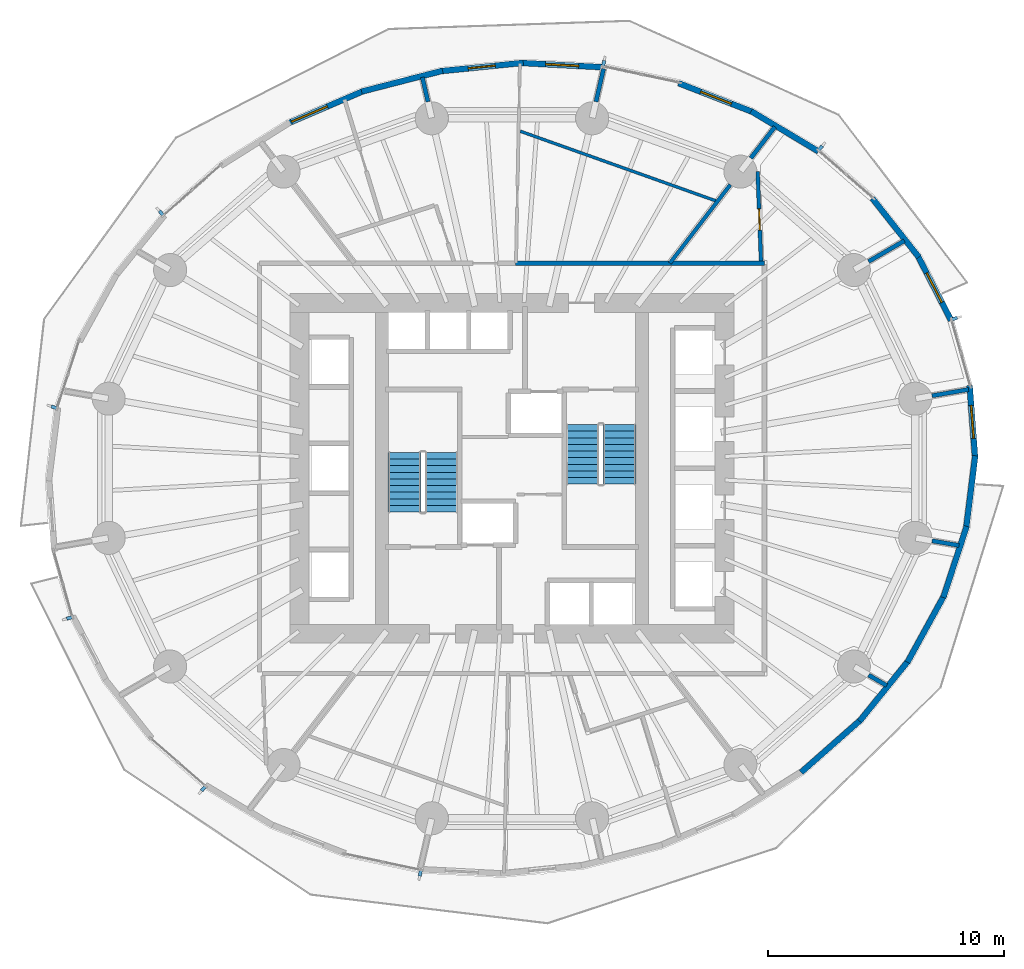
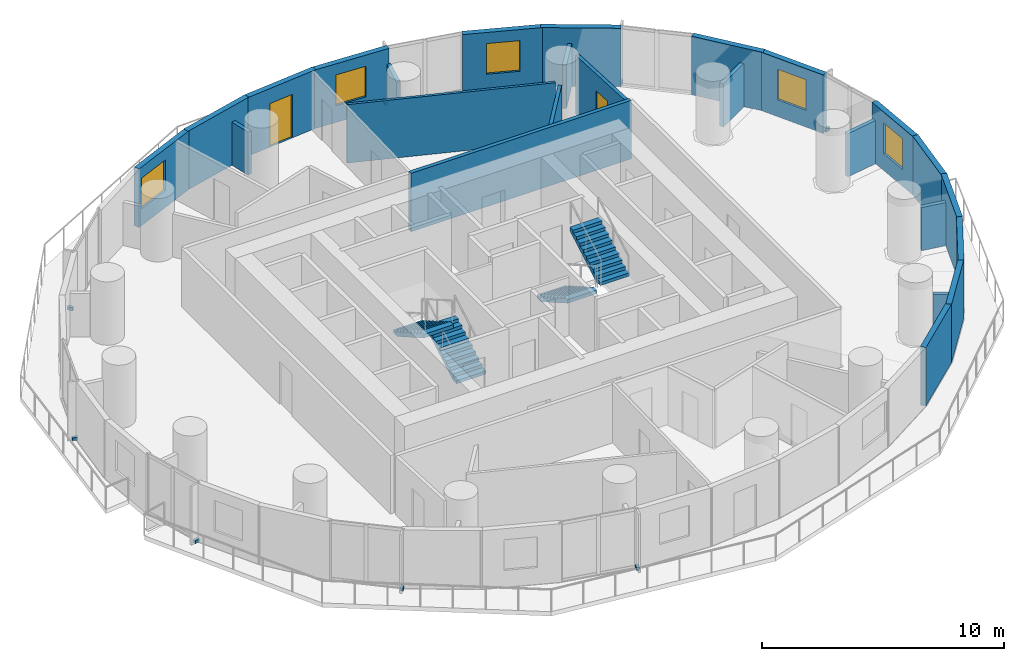
# One storey, part 9 of 13: 25 walls, 8 discrete accessories, 5 windows, 4 stair flights, 2 doors, 7 openings, 2 elements without a shape of their own.
"""IFC4 building model written with IfcOpenShell, lengths in metres."""

from ifc_helpers import new_model, si_unit, direction, frame, frame_2d, origin, origin_2d, place, context, subcontext, project, spatial, polyline, rectangle, outline, extrude, material, layer, layer_set, type_object, element, fill, aggregate, save


model = new_model("IFC4")

# Units and contexts
model_context = context("Model", 3, precision=1e-05, world=origin(), true_north=direction((0.0, 1.0)))
body_context = subcontext(model_context, "Body", "Model", "MODEL_VIEW")
ifc_project = project(units=[si_unit("LENGTHUNIT", "METRE"), si_unit("AREAUNIT", "SQUARE_METRE"), si_unit("VOLUMEUNIT", "CUBIC_METRE"), si_unit("PLANEANGLEUNIT", "RADIAN"), si_unit("MASSUNIT", "GRAM", prefix="KILO")], contexts=[model_context])

# Site, building, storey
site_placement = place(None, origin())
site = spatial("IfcSite", under=ifc_project, at=site_placement, CompositionType="ELEMENT")
building_placement = place(site_placement, origin())
building = spatial("IfcBuilding", under=site, at=building_placement, Name="Veldorim Arch Residences", CompositionType="ELEMENT")
storey_placement = place(building_placement, frame((0.0, 0.0, 47.199951171875)))
storey = spatial("IfcBuildingStorey", under=building, at=storey_placement, Name="L13", CompositionType="ELEMENT", Elevation=47.199951171875)

# Walls
ifc_material_1 = material(Name="Acoustic Gypsum Board", Category="gypsum")
ifc_layer_1 = layer(ifc_material_1, 0.125, Name="Acoustic Stud Room Partition Wall 125")
ifc_layer_set_1 = layer_set([ifc_layer_1], Name="Acoustic Gypsum Board")
wall_type_1 = type_object("IfcWallType", Name="Acoustic Stud Room Partition Wall 125", PredefinedType="PARTITIONING", material=ifc_layer_set_1)
wall_1_placement = place(storey_placement, frame((40.6201171875, 35.3203125, 0.0), z_axis=(0.0, 0.0, 1.0), x_axis=(-0.9420945855, 0.335347270709, 0.0)))
element("IfcWall", 1, at=wall_1_placement, inside=storey, type_object=wall_type_1, Name="L13 interior wall WL-RES-L13-021", PredefinedType="PARTITIONING", context=body_context, shape_type="SweptSolid", body=[
    extrude(rectangle(XDim=8.7734375, YDim=0.125, at=frame_2d((4.38671875, 0.0))), origin(), (0.0, 0.0, 1.0), 2.955078125),
])
ifc_material_2 = material(Name="Lightweight Masonry Block & Gypsum", Category="masonry")
ifc_layer_2 = layer(ifc_material_2, 0.179931640625, Name="Compartment & Corridor Fire-Rated Party Wall 180")
ifc_layer_set_2 = layer_set([ifc_layer_2], Name="Lightweight Masonry Block & Gypsum")
wall_type_2 = type_object("IfcWallType", Name="Compartment & Corridor Fire-Rated Party Wall 180", PredefinedType="PARTITIONING", material=ifc_layer_set_2)
wall_2_placement = place(storey_placement, frame((49.775146484375, 27.068359375, 0.0), z_axis=(0.0, 0.0, 1.0), x_axis=(0.985424214748, 0.170115011059, 0.0)))
element("IfcWall", 2, at=wall_2_placement, inside=storey, type_object=wall_type_2, Name="L13 interior wall WL-PIER-L13-01", PredefinedType="PARTITIONING", context=body_context, shape_type="SweptSolid", body=[
    extrude(rectangle(XDim=1.571533203125, YDim=0.179931640625, at=frame_2d((0.78564453125, 0.0))), origin(), (0.0, 0.0, 1.0), 2.17822265625),
])
wall_3_placement = place(storey_placement, frame((47.090576171875, 32.750244140625, 0.0), z_axis=(0.0, 0.0, 1.0), x_axis=(0.865027552002, 0.501724360857, 0.0)))
element("IfcWall", 3, at=wall_3_placement, inside=storey, type_object=wall_type_2, Name="L13 interior wall WL-PIER-L13-02", PredefinedType="PARTITIONING", context=body_context, shape_type="SweptSolid", body=[
    extrude(rectangle(XDim=1.747802734375, YDim=0.179931640625, at=frame_2d((0.8740234375, 0.0))), origin(), (0.0, 0.0, 1.0), 2.17822265625),
])
wall_4_placement = place(storey_placement, frame((42.106201171875, 37.125732421875, 0.0), z_axis=(0.0, 0.0, 1.0), x_axis=(0.610021184497, 0.792385104898, 0.0)))
element("IfcWall", 4, at=wall_4_placement, inside=storey, type_object=wall_type_2, Name="L13 interior wall WL-PIER-L13-03", PredefinedType="PARTITIONING", context=body_context, shape_type="SweptSolid", body=[
    extrude(rectangle(XDim=1.672119140625, YDim=0.179931640625, at=frame_2d((0.8359375, 0.0))), origin(), (0.0, 0.0, 1.0), 2.17822265625),
])
wall_5_placement = place(storey_placement, frame((35.555419921875, 39.51171875, 0.0), z_axis=(0.0, 0.0, 1.0), x_axis=(0.223463944202, 0.974712196313, 0.0)))
element("IfcWall", 5, at=wall_5_placement, inside=storey, type_object=wall_type_2, Name="L13 interior wall WL-PIER-L13-04", PredefinedType="PARTITIONING", context=body_context, shape_type="SweptSolid", body=[
    extrude(rectangle(XDim=1.43115234375, YDim=0.179931640625, at=frame_2d((0.715576171875, 0.0))), origin(), (0.0, 0.0, 1.0), 2.17822265625),
])
wall_6_placement = place(storey_placement, frame((28.444580078125, 39.51171875, 0.0), z_axis=(0.0, 0.0, 1.0), x_axis=(-0.223348866575, 0.974738572028, 0.0)))
element("IfcWall", 6, at=wall_6_placement, inside=storey, type_object=wall_type_2, Name="L13 interior wall WL-PIER-L13-05", PredefinedType="PARTITIONING", context=body_context, shape_type="SweptSolid", body=[
    extrude(rectangle(XDim=1.0625, YDim=0.179931640625, at=frame_2d((0.53125, 0.0))), origin(), (0.0, 0.0, 1.0), 2.17822265625),
])
wall_7_placement = place(storey_placement, frame((47.090576171875, 15.249755859375, 0.0), z_axis=(0.0, 0.0, 1.0), x_axis=(0.86495471492, -0.501849918937, 0.0)))
element("IfcWall", 7, at=wall_7_placement, inside=storey, type_object=wall_type_2, Name="L13 interior wall WL-PIER-L13-15", PredefinedType="PARTITIONING", context=body_context, shape_type="SweptSolid", body=[
    extrude(rectangle(XDim=0.886962890625, YDim=0.179931640625, at=frame_2d((0.443359375, 0.0))), origin(), (0.0, 0.0, 1.0), 2.17822265625),
])
wall_8_placement = place(storey_placement, frame((49.775146484375, 20.931640625, 0.0), z_axis=(0.0, 0.0, 1.0), x_axis=(0.985428537387, -0.170089969436, 0.0)))
element("IfcWall", 8, at=wall_8_placement, inside=storey, type_object=wall_type_2, Name="L13 interior wall WL-PIER-L13-16", PredefinedType="PARTITIONING", context=body_context, shape_type="SweptSolid", body=[
    extrude(rectangle(XDim=1.1611328125, YDim=0.179931640625, at=frame_2d((0.58056640625, 0.0))), origin(), (0.0, 0.0, 1.0), 2.17822265625),
])
wall_9_placement = place(storey_placement, frame((32.149658203125, 32.679931640625, 0.0), z_axis=(0.0, 0.0, 1.0), x_axis=(1.0, 0.0, 0.0)))
element("IfcWall", 9, at=wall_9_placement, inside=storey, type_object=wall_type_2, Name="L13 interior wall WL-RES-L13-002", PredefinedType="PARTITIONING", context=body_context, shape_type="SweptSolid", body=[
    extrude(rectangle(XDim=10.5302734375, YDim=0.179931640625, at=frame_2d((5.26513671875, 0.0))), origin(), (0.0, 0.0, 1.0), 2.955078125),
])

# Wall, opening, window
ifc_material_3 = material(Name="Precast concrete C40/50", Category="concrete")
ifc_layer_3 = layer(ifc_material_3, 0.25, Name="Tower Terracotta Spandrel & Pier Wall 250")
ifc_layer_set_3 = layer_set([ifc_layer_3], Name="Precast concrete C40/50")
wall_type_3 = type_object("IfcWallType", Name="Tower Terracotta Spandrel & Pier Wall 250", PredefinedType="SOLIDWALL", material=ifc_layer_set_3)
wall_10_placement = place(storey_placement, frame((49.157470703125, 33.03125, 0.0), z_axis=(0.0, 0.0, 1.0), x_axis=(0.457448772631, -0.889235975666, 0.0)))
wall_10 = element("IfcWall", 10, at=wall_10_placement, inside=storey, type_object=wall_type_3, Name="L13 terracotta facade wall 02", PredefinedType="SOLIDWALL", context=body_context, shape_type="SweptSolid", body=[
    extrude(rectangle(XDim=3.12060546875, YDim=0.25, at=frame_2d((1.560302734375, 0.0))), origin(), (0.0, 0.0, 1.0), 2.9599609375),
])
opening_1_placement = place(wall_10_placement, frame((0.860107421875, 0.0, 0.85009765625)))
opening_1 = element("IfcOpeningElement", 11, at=opening_1_placement, cuts=wall_10, Name="Opening WN-02", PredefinedType="OPENING", context=body_context, shape_type="SweptSolid", body=[
    extrude(rectangle(XDim=1.39990234375, YDim=1.550048828125, at=frame_2d((0.699951171875, 0.77490234375))), frame((0.0, 0.135009765625, 0.0), z_axis=(0.0, -1.0, 0.0), x_axis=(1.0, 0.0, 0.0)), (0.0, 0.0, 1.0), 0.27001953125),
])
ifc_material_4 = material(Name="Laminated Low-E Glass", Category="glass")
window_type_1 = type_object("IfcWindowType", Name="Residential Casement Window 1400x1550", PartitioningType="SINGLE_PANEL", PredefinedType="WINDOW", material=ifc_material_4)
window_1_placement = place(opening_1_placement, origin())
window_1 = element("IfcWindow", 12, at=window_1_placement, inside=storey, type_object=window_type_1, Name="L13 solar-control facade window 02", OverallHeight=1.550048828125, OverallWidth=1.39990234375, PartitioningType="SINGLE_PANEL", PredefinedType="WINDOW", context=body_context, shape_type="SweptSolid", body=[
    extrude(rectangle(XDim=1.39990234375, YDim=1.550048828125, at=frame_2d((0.699951171875, 0.77490234375))), frame((0.0, 0.030029296875, 0.0), z_axis=(0.0, -1.0, 0.0), x_axis=(1.0, 0.0, 0.0)), (0.0, 0.0, 1.0), 0.06005859375),
])
fill(opening_1, window_1)

# Walls
wall_11_placement = place(storey_placement, frame((47.25146484375, 35.42626953125, 0.0), z_axis=(0.0, 0.0, 1.0), x_axis=(0.619871206143, -0.784703566829, 0.0)))
element("IfcWall", 13, at=wall_11_placement, inside=storey, type_object=wall_type_3, Name="L13 terracotta facade wall 03", PredefinedType="SOLIDWALL", context=body_context, shape_type="SweptSolid", body=[
    extrude(rectangle(XDim=3.174072265625, YDim=0.25, at=frame_2d((1.5869140625, 0.0))), origin(), (0.0, 0.0, 1.0), 2.9599609375),
])
wall_12_placement = place(storey_placement, frame((42.121826171875, 39.115966796875, 0.0), z_axis=(0.0, 0.0, 1.0), x_axis=(0.858069400356, -0.513533742001, 0.0)))
element("IfcWall", 14, at=wall_12_placement, inside=storey, type_object=wall_type_3, Name="L13 terracotta facade wall 05", PredefinedType="SOLIDWALL", context=body_context, shape_type="SweptSolid", body=[
    extrude(rectangle(XDim=3.32275390625, YDim=0.25, at=frame_2d((1.661376953125, 0.0))), origin(), (0.0, 0.0, 1.0), 2.9599609375),
])

# Wall, opening, window
wall_13_placement = place(storey_placement, frame((39.052978515625, 40.298095703125, 0.0), z_axis=(0.0, 0.0, 1.0), x_axis=(0.932140755825, -0.362096135479, 0.0)))
wall_13 = element("IfcWall", 15, at=wall_13_placement, inside=storey, type_object=wall_type_3, Name="L13 terracotta facade wall 06", PredefinedType="SOLIDWALL", context=body_context, shape_type="SweptSolid", body=[
    extrude(rectangle(XDim=3.39892578125, YDim=0.25, at=frame_2d((1.699462890625, 0.0))), origin(), (0.0, 0.0, 1.0), 2.9599609375),
])
opening_2_placement = place(wall_13_placement, frame((1.0, 0.0, 0.85009765625)))
opening_2 = element("IfcOpeningElement", 16, at=opening_2_placement, cuts=wall_13, Name="Opening WN-02", PredefinedType="OPENING", context=body_context, shape_type="SweptSolid", body=[
    extrude(rectangle(XDim=1.39990234375, YDim=1.550048828125, at=frame_2d((0.699951171875, 0.77490234375))), frame((0.0, 0.135009765625, 0.0), z_axis=(0.0, -1.0, 0.0), x_axis=(1.0, 0.0, 0.0)), (0.0, 0.0, 1.0), 0.27001953125),
])
window_2_placement = place(opening_2_placement, origin())
window_2 = element("IfcWindow", 17, at=window_2_placement, inside=storey, type_object=window_type_1, Name="L13 solar-control facade window 06", OverallHeight=1.550048828125, OverallWidth=1.39990234375, PartitioningType="SINGLE_PANEL", PredefinedType="WINDOW", context=body_context, shape_type="SweptSolid", body=[
    extrude(rectangle(XDim=1.39990234375, YDim=1.550048828125, at=frame_2d((0.699951171875, 0.77490234375))), frame((0.0, 0.030029296875, 0.0), z_axis=(0.0, -1.0, 0.0), x_axis=(1.0, 0.0, 0.0)), (0.0, 0.0, 1.0), 0.06005859375),
])
fill(opening_2, window_2)

wall_14_placement = place(storey_placement, frame((32.368896484375, 41.156494140625, 0.0), z_axis=(0.0, 0.0, 1.0), x_axis=(0.99860782827, -0.052748510102, 0.0)))
wall_14 = element("IfcWall", 18, at=wall_14_placement, inside=storey, type_object=wall_type_3, Name="L13 terracotta facade wall 08", PredefinedType="SOLIDWALL", context=body_context, shape_type="SweptSolid", body=[
    extrude(rectangle(XDim=3.512939453125, YDim=0.25, at=frame_2d((1.75634765625, 0.0))), origin(), (0.0, 0.0, 1.0), 2.9599609375),
])
opening_3_placement = place(wall_14_placement, frame((1.055908203125, 0.0, 0.85009765625)))
opening_3 = element("IfcOpeningElement", 19, at=opening_3_placement, cuts=wall_14, Name="Opening WN-02", PredefinedType="OPENING", context=body_context, shape_type="SweptSolid", body=[
    extrude(rectangle(XDim=1.39990234375, YDim=1.550048828125, at=frame_2d((0.699951171875, 0.77490234375))), frame((0.0, 0.135009765625, 0.0), z_axis=(0.0, -1.0, 0.0), x_axis=(1.0, 0.0, 0.0)), (0.0, 0.0, 1.0), 0.27001953125),
])
window_3_placement = place(opening_3_placement, origin())
window_3 = element("IfcWindow", 20, at=window_3_placement, inside=storey, type_object=window_type_1, Name="L13 solar-control facade window 08", OverallHeight=1.550048828125, OverallWidth=1.39990234375, PartitioningType="SINGLE_PANEL", PredefinedType="WINDOW", context=body_context, shape_type="SweptSolid", body=[
    extrude(rectangle(XDim=1.39990234375, YDim=1.550048828125, at=frame_2d((0.699951171875, 0.77490234375))), frame((0.0, 0.030029296875, 0.0), z_axis=(0.0, -1.0, 0.0), x_axis=(1.0, 0.0, 0.0)), (0.0, 0.0, 1.0), 0.06005859375),
])
fill(opening_3, window_3)

# Wall, opening, door
wall_15_placement = place(storey_placement, frame((28.957275390625, 40.8056640625, 0.0), z_axis=(0.0, 0.0, 1.0), x_axis=(0.994996115016, 0.099913618207, 0.0)))
wall_15 = element("IfcWall", 21, at=wall_15_placement, inside=storey, type_object=wall_type_3, Name="L13 terracotta facade wall 09", PredefinedType="SOLIDWALL", context=body_context, shape_type="SweptSolid", body=[
    extrude(rectangle(XDim=3.538330078125, YDim=0.25, at=frame_2d((1.76904296875, 0.0))), origin(), (0.0, 0.0, 1.0), 2.9599609375),
])
opening_4_placement = place(wall_15_placement, frame((1.194091796875, 0.0, 0.0)))
opening_4 = element("IfcOpeningElement", 22, at=opening_4_placement, cuts=wall_15, Name="Opening BL-DR", PredefinedType="OPENING", context=body_context, shape_type="SweptSolid", body=[
    extrude(rectangle(XDim=1.14990234375, YDim=2.199951171875, at=frame_2d((0.574951171875, 1.10009765625))), frame((0.0, 0.135009765625, 0.0), z_axis=(0.0, -1.0, 0.0), x_axis=(1.0, 0.0, 0.0)), (0.0, 0.0, 1.0), 0.27001953125),
])
ifc_material_5 = material(Name="Aluminium & Low-E Glass", Category="aluminium")
door_type_1 = type_object("IfcDoorType", Name="Glazed Planted Balcony Door 1150x2200", OperationType="SINGLE_SWING_LEFT", PredefinedType="DOOR", material=ifc_material_5)
door_1_placement = place(opening_4_placement, origin())
door_1 = element("IfcDoor", 23, at=door_1_placement, inside=storey, type_object=door_type_1, Name="L13 glazed outdoor terrace door BALC-1", OperationType="SINGLE_SWING_LEFT", OverallHeight=2.199951171875, OverallWidth=1.14990234375, PredefinedType="DOOR", context=body_context, shape_type="SweptSolid", body=[
    extrude(rectangle(XDim=1.14990234375, YDim=2.199951171875, at=frame_2d((0.574951171875, 1.10009765625))), frame((0.0, 0.02490234375, 0.0), z_axis=(0.0, -1.0, 0.0), x_axis=(1.0, 0.0, 0.0)), (0.0, 0.0, 1.0), 0.050048828125),
])
fill(opening_4, door_1)

# Wall
wall_16_placement = place(storey_placement, frame((25.6376953125, 39.943115234375, 0.0), z_axis=(0.0, 0.0, 1.0), x_axis=(0.968459637573, 0.249170484594, 0.0)))
element("IfcWall", 24, at=wall_16_placement, inside=storey, type_object=wall_type_3, Name="L13 terracotta facade wall 10", PredefinedType="SOLIDWALL", context=body_context, shape_type="SweptSolid", body=[
    extrude(rectangle(XDim=3.5380859375, YDim=0.25, at=frame_2d((1.76904296875, 0.0))), origin(), (0.0, 0.0, 1.0), 2.9599609375),
])

# Wall, opening, window
wall_17_placement = place(storey_placement, frame((22.511474609375, 38.595458984375, 0.0), z_axis=(0.0, 0.0, 1.0), x_axis=(0.919263615987, 0.393642482872, 0.0)))
wall_17 = element("IfcWall", 25, at=wall_17_placement, inside=storey, type_object=wall_type_3, Name="L13 terracotta facade wall 11", PredefinedType="SOLIDWALL", context=body_context, shape_type="SweptSolid", body=[
    extrude(rectangle(XDim=3.512939453125, YDim=0.25, at=frame_2d((1.75634765625, 0.0))), origin(), (0.0, 0.0, 1.0), 2.9599609375),
])
opening_5_placement = place(wall_17_placement, frame((0.175048828125, 0.0, 0.85009765625)))
opening_5 = element("IfcOpeningElement", 26, at=opening_5_placement, cuts=wall_17, Name="Opening WN-03", PredefinedType="OPENING", context=body_context, shape_type="SweptSolid", body=[
    extrude(rectangle(XDim=1.64990234375, YDim=1.550048828125, at=frame_2d((0.824951171875, 0.77490234375))), frame((0.0, 0.135009765625, 0.0), z_axis=(0.0, -1.0, 0.0), x_axis=(1.0, 0.0, 0.0)), (0.0, 0.0, 1.0), 0.27001953125),
])
ifc_material_6 = material(Name="Laminated Low-E Glass", Category="glass")
window_type_2 = type_object("IfcWindowType", Name="Residential Wide Window 1650x1550", PartitioningType="SINGLE_PANEL", PredefinedType="WINDOW", material=ifc_material_6)
window_4_placement = place(opening_5_placement, origin())
window_4 = element("IfcWindow", 27, at=window_4_placement, inside=storey, type_object=window_type_2, Name="L13 solar-control facade window 11", OverallHeight=1.550048828125, OverallWidth=1.64990234375, PartitioningType="SINGLE_PANEL", PredefinedType="WINDOW", context=body_context, shape_type="SweptSolid", body=[
    extrude(rectangle(XDim=1.64990234375, YDim=1.550048828125, at=frame_2d((0.824951171875, 0.77490234375))), frame((0.0, 0.030029296875, 0.0), z_axis=(0.0, -1.0, 0.0), x_axis=(1.0, 0.0, 0.0)), (0.0, 0.0, 1.0), 0.06005859375),
])
fill(opening_5, window_4)

# Walls
wall_18_placement = place(storey_placement, frame((46.787841796875, 13.37841796875, 0.0), z_axis=(0.0, 0.0, 1.0), x_axis=(-0.750235983639, -0.661170151211, 0.0)))
element("IfcWall", 28, at=wall_18_placement, inside=storey, type_object=wall_type_3, Name="L13 terracotta facade wall 31", PredefinedType="SOLIDWALL", context=body_context, shape_type="SweptSolid", body=[
    extrude(rectangle(XDim=3.39892578125, YDim=0.25, at=frame_2d((1.699462890625, 0.0))), origin(), (0.0, 0.0, 1.0), 2.9599609375),
])
wall_19_placement = place(storey_placement, frame((48.7998046875, 15.883056640625, 0.0), z_axis=(0.0, 0.0, 1.0), x_axis=(-0.62854914488, -0.777769871151, 0.0)))
element("IfcWall", 29, at=wall_19_placement, inside=storey, type_object=wall_type_3, Name="L13 terracotta facade wall 32", PredefinedType="SOLIDWALL", context=body_context, shape_type="SweptSolid", body=[
    extrude(rectangle(XDim=3.322998046875, YDim=0.25, at=frame_2d((1.66162109375, 0.0))), origin(), (0.0, 0.0, 1.0), 2.9599609375),
])
wall_20_placement = place(storey_placement, frame((50.2998046875, 18.633544921875, 0.0), z_axis=(0.0, 0.0, 1.0), x_axis=(-0.481612512773, -0.876384269337, 0.0)))
element("IfcWall", 30, at=wall_20_placement, inside=storey, type_object=wall_type_3, Name="L13 terracotta facade wall 33", PredefinedType="SOLIDWALL", context=body_context, shape_type="SweptSolid", body=[
    extrude(rectangle(XDim=3.244384765625, YDim=0.25, at=frame_2d((1.6220703125, 0.0))), origin(), (0.0, 0.0, 1.0), 2.9599609375),
])
wall_21_placement = place(storey_placement, frame((51.243408203125, 21.546142578125, 0.0), z_axis=(0.0, 0.0, 1.0), x_axis=(-0.31144705651, -0.950263506082, 0.0)))
element("IfcWall", 31, at=wall_21_placement, inside=storey, type_object=wall_type_3, Name="L13 terracotta facade wall 34", PredefinedType="SOLIDWALL", context=body_context, shape_type="SweptSolid", body=[
    extrude(rectangle(XDim=3.174072265625, YDim=0.25, at=frame_2d((1.5869140625, 0.0))), origin(), (0.0, 0.0, 1.0), 2.9599609375),
])
wall_22_placement = place(storey_placement, frame((51.6025390625, 24.5322265625, 0.0), z_axis=(0.0, 0.0, 1.0), x_axis=(-0.122985115192, -0.992408515401, 0.0)))
element("IfcWall", 32, at=wall_22_placement, inside=storey, type_object=wall_type_3, Name="L13 terracotta facade wall 35", PredefinedType="SOLIDWALL", context=body_context, shape_type="SweptSolid", body=[
    extrude(rectangle(XDim=3.12060546875, YDim=0.25, at=frame_2d((1.560302734375, 0.0))), origin(), (0.0, 0.0, 1.0), 2.9599609375),
])

# Wall, opening, window
wall_23_placement = place(storey_placement, frame((51.366455078125, 27.5009765625, 0.0), z_axis=(0.0, 0.0, 1.0), x_axis=(0.075488770926, -0.997146651934, 0.0)))
wall_23 = element("IfcWall", 33, at=wall_23_placement, inside=storey, type_object=wall_type_3, Name="L13 terracotta facade wall 36", PredefinedType="SOLIDWALL", context=body_context, shape_type="SweptSolid", body=[
    extrude(rectangle(XDim=3.091796875, YDim=0.25, at=frame_2d((1.5458984375, 0.0))), origin(), (0.0, 0.0, 1.0), 2.9599609375),
])
opening_6_placement = place(wall_23_placement, frame((0.845947265625, 0.0, 0.85009765625)))
opening_6 = element("IfcOpeningElement", 34, at=opening_6_placement, cuts=wall_23, Name="Opening WN-02", PredefinedType="OPENING", context=body_context, shape_type="SweptSolid", body=[
    extrude(rectangle(XDim=1.39990234375, YDim=1.550048828125, at=frame_2d((0.699951171875, 0.77490234375))), frame((0.0, 0.135009765625, 0.0), z_axis=(0.0, -1.0, 0.0), x_axis=(1.0, 0.0, 0.0)), (0.0, 0.0, 1.0), 0.27001953125),
])
window_5_placement = place(opening_6_placement, origin())
window_5 = element("IfcWindow", 35, at=window_5_placement, inside=storey, type_object=window_type_1, Name="L13 solar-control facade window 36", OverallHeight=1.550048828125, OverallWidth=1.39990234375, PartitioningType="SINGLE_PANEL", PredefinedType="WINDOW", context=body_context, shape_type="SweptSolid", body=[
    extrude(rectangle(XDim=1.39990234375, YDim=1.550048828125, at=frame_2d((0.699951171875, 0.77490234375))), frame((0.0, 0.030029296875, 0.0), z_axis=(0.0, -1.0, 0.0), x_axis=(1.0, 0.0, 0.0)), (0.0, 0.0, 1.0), 0.06005859375),
])
fill(opening_6, window_5)

# Wall, opening, door
ifc_material_7 = material(Name="Moisture-Resistant Gypsum & Stud", Category="gypsum")
ifc_layer_4 = layer(ifc_material_7, 0.159912109375, Name="Wet-Area Moisture-Resistant Plumbing Wall 160")
ifc_layer_set_4 = layer_set([ifc_layer_4], Name="Moisture-Resistant Gypsum & Stud")
wall_type_4 = type_object("IfcWallType", Name="Wet-Area Moisture-Resistant Plumbing Wall 160", PredefinedType="PLUMBINGWALL", material=ifc_layer_set_4)
wall_24_placement = place(storey_placement, frame((42.537109375, 32.77978515625, 0.0), z_axis=(0.0, 0.0, 1.0), x_axis=(-0.037109528702, 0.99931120422, 0.0)))
wall_24 = element("IfcWall", 36, at=wall_24_placement, inside=storey, type_object=wall_type_4, Name="L13 interior wall WL-RES-L13-014", PredefinedType="PLUMBINGWALL", context=body_context, shape_type="SweptSolid", body=[
    extrude(rectangle(XDim=3.782958984375, YDim=0.159912109375, at=frame_2d((1.8916015625, 0.0))), origin(), (0.0, 0.0, 1.0), 2.955078125),
])
opening_7_placement = place(wall_24_placement, frame((1.301513671875, 0.0, 0.0)))
opening_7 = element("IfcOpeningElement", 37, at=opening_7_placement, cuts=wall_24, Name="Opening DR-WC", PredefinedType="OPENING", context=body_context, shape_type="SweptSolid", body=[
    extrude(rectangle(XDim=0.89990234375, YDim=2.10009765625, at=frame_2d((0.449951171875, 1.050048828125))), frame((0.0, 0.08984375, 0.0), z_axis=(0.0, -1.0, 0.0), x_axis=(1.0, 0.0, 0.0)), (0.0, 0.0, 1.0), 0.179931640625),
])
ifc_material_8 = material(Name="Laminate Timber", Category="wood")
door_type_2 = type_object("IfcDoorType", Name="Bathroom & Accessible WC Moisture-Sealed Door 900x2100", OperationType="SINGLE_SWING_LEFT", PredefinedType="DOOR", material=ifc_material_8)
door_2_placement = place(opening_7_placement, origin())
door_2 = element("IfcDoor", 38, at=door_2_placement, inside=storey, type_object=door_type_2, Name="L13 interior door DR-RES-L13-007", OperationType="SINGLE_SWING_LEFT", OverallHeight=2.10009765625, OverallWidth=0.89990234375, PredefinedType="DOOR", context=body_context, shape_type="SweptSolid", body=[
    extrude(rectangle(XDim=0.89990234375, YDim=2.10009765625, at=frame_2d((0.449951171875, 1.050048828125))), frame((0.0, 0.02490234375, 0.0), z_axis=(0.0, -1.0, 0.0), x_axis=(1.0, 0.0, 0.0)), (0.0, 0.0, 1.0), 0.050048828125),
])
fill(opening_7, door_2)

# Wall
wall_25_placement = place(storey_placement, frame((38.683349609375, 32.679931640625, 0.0), z_axis=(0.0, 0.0, 1.0), x_axis=(0.610034370134, 0.792374953703, 0.0)))
element("IfcWall", 39, at=wall_25_placement, inside=storey, type_object=wall_type_4, Name="L13 interior wall WL-RES-L13-015", PredefinedType="PLUMBINGWALL", context=body_context, shape_type="SweptSolid", body=[
    extrude(rectangle(XDim=4.192138671875, YDim=0.159912109375, at=frame_2d((2.09619140625, 0.0))), origin(), (0.0, 0.0, 1.0), 2.17822265625),
])

# Stair, stair flights
ifc_material_9 = material(Name="Concrete C40/50", Category="concrete")
stair_type = type_object("IfcStairType", Name="Reinforced Concrete Dogleg Exit Staircase", PredefinedType="HALF_TURN_STAIR", material=ifc_material_9)
stair_1_placement = place(storey_placement, origin())
stair_1 = element("IfcStair", 40, at=stair_1_placement, inside=storey, type_object=stair_type, Name="L13 Exit Staircase ST-1", PredefinedType="HALF_TURN_STAIR")
ifc_material_10 = material(Name="Concrete C40/50", Category="concrete")
stair_flight_type = type_object("IfcStairFlightType", Name="Reinforced Concrete Stair Flight 1400", PredefinedType="STRAIGHT", material=ifc_material_10)
stair_flight_1_placement = place(storey_placement, frame((29.010009765625, 22.14990234375, 0.0), z_axis=(0.0, 0.0, 1.0), x_axis=(0.0, 1.0, 0.0)))
stair_flight_1 = element("IfcStairFlight", 41, at=stair_flight_1_placement, type_object=stair_flight_type, Name="ST-1 flight 1", NumberOfRisers=10, NumberOfTreads=9, PredefinedType="STRAIGHT", RiserHeight=0.16, TreadLength=0.28, context=body_context, shape_type="SweptSolid", body=[
    extrude(outline(polyline([(0.0, 0.0), (0.0, 0.159912109375), (0.280029296875, 0.159912109375), (0.280029296875, 0.320068359375), (0.56005859375, 0.320068359375), (0.56005859375, 0.47998046875), (0.840087890625, 0.47998046875), (0.840087890625, 0.639892578125), (1.1201171875, 0.639892578125), (1.1201171875, 0.800048828125), (1.39990234375, 0.800048828125), (1.39990234375, 0.9599609375), (1.679931640625, 0.9599609375), (1.679931640625, 1.1201171875), (1.9599609375, 1.1201171875), (1.9599609375, 1.280029296875), (2.239990234375, 1.280029296875), (2.239990234375, 1.43994140625), (2.52001953125, 1.43994140625), (2.52001953125, 1.60009765625), (2.52001953125, 1.255859375), (0.322265625, 0.0), (0.0, 0.0)])), frame((0.0, 0.699951171875, 0.0), z_axis=(0.0, -1.0, 0.0), x_axis=(1.0, 0.0, 0.0)), (0.0, 0.0, 1.0), 1.39990234375),
])
stair_flight_2_placement = place(storey_placement, frame((27.449951171875, 24.669921875, 1.60009765625), z_axis=(0.0, 0.0, 1.0), x_axis=(0.0, -1.0, 0.0)))
stair_flight_2 = element("IfcStairFlight", 42, at=stair_flight_2_placement, type_object=stair_flight_type, Name="ST-1 flight 2", NumberOfRisers=10, NumberOfTreads=9, PredefinedType="STRAIGHT", RiserHeight=0.16, TreadLength=0.28, context=body_context, shape_type="SweptSolid", body=[
    extrude(outline(polyline([(0.0, 0.0), (0.0, 0.159912109375), (0.280029296875, 0.159912109375), (0.280029296875, 0.320068359375), (0.56005859375, 0.320068359375), (0.56005859375, 0.47998046875), (0.840087890625, 0.47998046875), (0.840087890625, 0.639892578125), (1.1201171875, 0.639892578125), (1.1201171875, 0.800048828125), (1.39990234375, 0.800048828125), (1.39990234375, 0.9599609375), (1.679931640625, 0.9599609375), (1.679931640625, 1.1201171875), (1.9599609375, 1.1201171875), (1.9599609375, 1.280029296875), (2.239990234375, 1.280029296875), (2.239990234375, 1.43994140625), (2.52001953125, 1.43994140625), (2.52001953125, 1.60009765625), (2.52001953125, 1.255859375), (0.322265625, 0.0), (0.0, 0.0)])), frame((0.0, 0.699951171875, 0.0), z_axis=(0.0, -1.0, 0.0), x_axis=(1.0, 0.0, 0.0)), (0.0, 0.0, 1.0), 1.39990234375),
])
aggregate(stair_1, [stair_flight_1, stair_flight_2])

stair_2_placement = place(storey_placement, origin())
stair_2 = element("IfcStair", 43, at=stair_2_placement, inside=storey, type_object=stair_type, Name="L13 Exit Staircase ST-2", PredefinedType="HALF_TURN_STAIR")
stair_flight_3_placement = place(storey_placement, frame((34.989990234375, 25.85009765625, 0.0), z_axis=(0.0, 0.0, 1.0), x_axis=(0.0, -1.0, 0.0)))
stair_flight_3 = element("IfcStairFlight", 44, at=stair_flight_3_placement, type_object=stair_flight_type, Name="ST-2 flight 1", NumberOfRisers=10, NumberOfTreads=9, PredefinedType="STRAIGHT", RiserHeight=0.16, TreadLength=0.28, context=body_context, shape_type="SweptSolid", body=[
    extrude(outline(polyline([(0.0, 0.0), (0.0, 0.159912109375), (0.280029296875, 0.159912109375), (0.280029296875, 0.320068359375), (0.56005859375, 0.320068359375), (0.56005859375, 0.47998046875), (0.840087890625, 0.47998046875), (0.840087890625, 0.639892578125), (1.1201171875, 0.639892578125), (1.1201171875, 0.800048828125), (1.39990234375, 0.800048828125), (1.39990234375, 0.9599609375), (1.679931640625, 0.9599609375), (1.679931640625, 1.1201171875), (1.9599609375, 1.1201171875), (1.9599609375, 1.280029296875), (2.239990234375, 1.280029296875), (2.239990234375, 1.43994140625), (2.52001953125, 1.43994140625), (2.52001953125, 1.60009765625), (2.52001953125, 1.255859375), (0.322265625, 0.0), (0.0, 0.0)])), frame((0.0, 0.699951171875, 0.0), z_axis=(0.0, -1.0, 0.0), x_axis=(1.0, 0.0, 0.0)), (0.0, 0.0, 1.0), 1.39990234375),
])
stair_flight_4_placement = place(storey_placement, frame((36.550048828125, 23.330078125, 1.60009765625), z_axis=(0.0, 0.0, 1.0), x_axis=(0.0, 1.0, 0.0)))
stair_flight_4 = element("IfcStairFlight", 45, at=stair_flight_4_placement, type_object=stair_flight_type, Name="ST-2 flight 2", NumberOfRisers=10, NumberOfTreads=9, PredefinedType="STRAIGHT", RiserHeight=0.16, TreadLength=0.28, context=body_context, shape_type="SweptSolid", body=[
    extrude(outline(polyline([(0.0, 0.0), (0.0, 0.159912109375), (0.280029296875, 0.159912109375), (0.280029296875, 0.320068359375), (0.56005859375, 0.320068359375), (0.56005859375, 0.47998046875), (0.840087890625, 0.47998046875), (0.840087890625, 0.639892578125), (1.1201171875, 0.639892578125), (1.1201171875, 0.800048828125), (1.39990234375, 0.800048828125), (1.39990234375, 0.9599609375), (1.679931640625, 0.9599609375), (1.679931640625, 1.1201171875), (1.9599609375, 1.1201171875), (1.9599609375, 1.280029296875), (2.239990234375, 1.280029296875), (2.239990234375, 1.43994140625), (2.52001953125, 1.43994140625), (2.52001953125, 1.60009765625), (2.52001953125, 1.255859375), (0.322265625, 0.0), (0.0, 0.0)])), frame((0.0, 0.699951171875, 0.0), z_axis=(0.0, -1.0, 0.0), x_axis=(1.0, 0.0, 0.0)), (0.0, 0.0, 1.0), 1.39990234375),
])
aggregate(stair_2, [stair_flight_3, stair_flight_4])

# Discrete accessories
ifc_material_11 = material(Name="Stainless Steel", Category="steel")
discrete_accessory_type = type_object("IfcDiscreteAccessoryType", Name="Stainless Steel Facade Fin Anchor Bracket", PredefinedType="BRACKET", material=ifc_material_11)
for number, where, z_axis, x_axis, name in (
    (46, (50.72998046875, 30.335205078125, -0.02001953125), (0.0, 0.0, 1.0), (0.272784025857, -0.962075296033, 0.0), "L13 stainless fin anchor bracket 01"),
    (47, (45.05419921875, 37.554443359375, -0.02001953125), (0.0, 0.0, 1.0), (0.754136773416, -0.656717387452, 0.0), "L13 stainless fin anchor bracket 04"),
    (48, (35.880126953125, 41.13818359375, -0.02001953125), (0.0, 0.0, 1.0), (0.978256328953, -0.207399505455, 0.0), "L13 stainless fin anchor bracket 07"),
    (49, (17.15625, 34.802001953125, -0.02001953125), (0.0, 0.0, 1.0), (0.750226478899, 0.661180936173, 0.0), "L13 stainless fin anchor bracket 13"),
    (50, (12.61669921875, 26.581298828125, -0.02001953125), (0.0, 0.0, 1.0), (0.311505792684, 0.950244253402, 0.0), "L13 stainless fin anchor bracket 16"),
    (51, (13.27001953125, 17.664794921875, -0.02001953125), (0.0, 0.0, 1.0), (-0.272784025857, 0.962075296033, 0.0), "L13 stainless fin anchor bracket 19"),
    (52, (18.94580078125, 10.445556640625, -0.02001953125), (0.0, 0.0, 1.0), (-0.754136773416, 0.656717387452, 0.0), "L13 stainless fin anchor bracket 22"),
    (53, (28.119873046875, 6.86181640625, -0.02001953125), (0.0, 0.0, 1.0), (-0.978256328953, 0.207399505455, 0.0), "L13 stainless fin anchor bracket 25"),
):
    element("IfcDiscreteAccessory", number, at=place(storey_placement, frame(where, z_axis=z_axis, x_axis=x_axis)), inside=storey, type_object=discrete_accessory_type, Name=name, PredefinedType="BRACKET", context=body_context, shape_type="SweptSolid", body=[
        extrude(rectangle(XDim=0.139892578125, YDim=0.239990234375, at=origin_2d()), origin(), (0.0, 0.0, 1.0), 0.159912109375),
    ])

save(model, "model.ifc")
